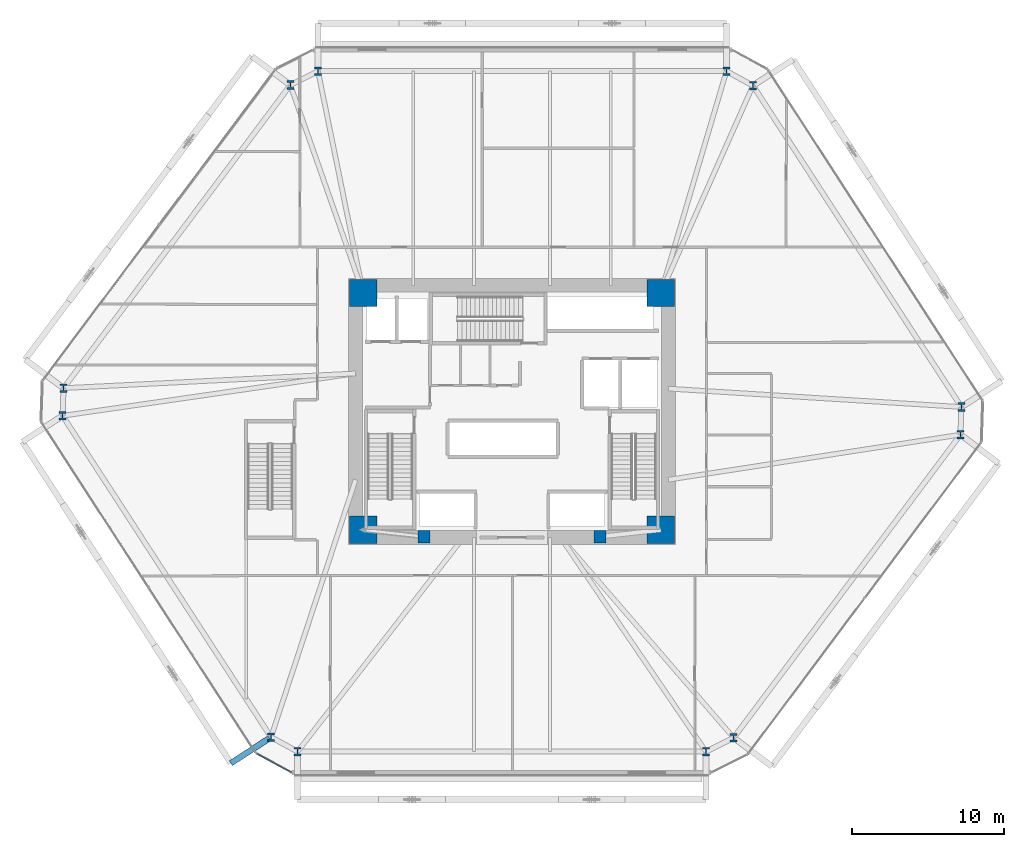
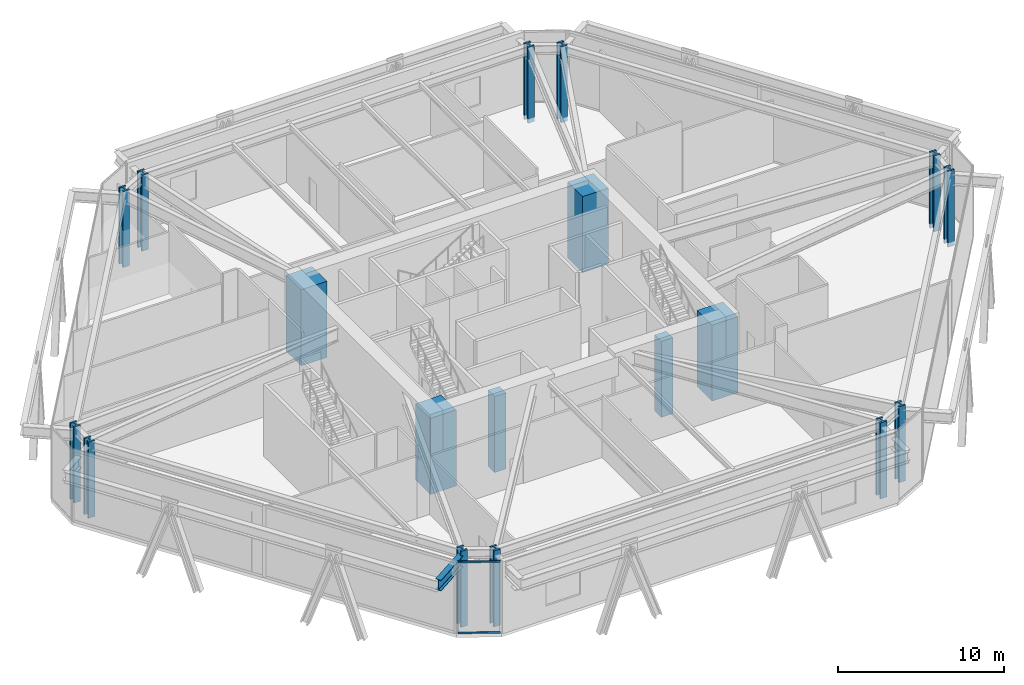
# One storey, part 1 of 23: 18 columns, 2 members, 1 beam, 1 element without a shape of its own.
"""IFC4 building model written with IfcOpenShell, lengths in metres."""

from ifc_helpers import new_model, si_unit, direction, frame, origin, origin_2d, place, context, subcontext, project, spatial, rectangle, i_section, extrude, source, transform, mapped, material, layer, layer_set, material_profile, profile_set, type_object, type_shapes, element, aggregate, save


model = new_model("IFC4")

# Units and contexts
model_context = context("Model", 3, precision=1e-05, world=origin(), true_north=direction((0.0, 1.0)))
body_context = subcontext(model_context, "Body", "Model", "MODEL_VIEW")
ifc_project = project(units=[si_unit("LENGTHUNIT", "METRE"), si_unit("AREAUNIT", "SQUARE_METRE"), si_unit("VOLUMEUNIT", "CUBIC_METRE"), si_unit("PLANEANGLEUNIT", "RADIAN"), si_unit("MASSUNIT", "GRAM", prefix="KILO")], contexts=[model_context])

# Site, building, storey
site_placement = place(None, origin())
site = spatial("IfcSite", under=ifc_project, at=site_placement, CompositionType="ELEMENT")
building_placement = place(site_placement, origin())
building = spatial("IfcBuilding", under=site, at=building_placement, Name="Durnholm Broadcast Tower", CompositionType="ELEMENT")
storey_placement = place(building_placement, frame((0.0, 0.0, 21.199951171875)))
storey = spatial("IfcBuildingStorey", under=building, at=storey_placement, Name="L04", CompositionType="ELEMENT", Elevation=21.199951171875)

# Columns
ifc_material_1 = material(Name="Concrete C70/85", Category="concrete")
ifc_material_profile_1 = material_profile(ifc_material_1, rectangle(XDim=1.800048828125, YDim=1.800048828125, at=origin_2d()), Name="RC1800X1800")
ifc_profile_set_1 = profile_set([ifc_material_profile_1], Name="Concrete C70/85")
column_type_1 = type_object("IfcColumnType", Name="COL-CC-1800", PredefinedType="COLUMN", material=ifc_profile_set_1)
shared_shape_1 = source(origin(), body_context, "Body", "SweptSolid", [
    extrude(rectangle(XDim=1.800048828125, YDim=1.800048828125, at=origin_2d()), origin(), (0.0, 0.0, 1.0), 5.60009765625),
])
type_shapes(column_type_1, [shared_shape_1])
for number, where, z_axis, x_axis, name in (
    (1, (-9.800048828125, -7.800048828125, -0.320068359375), (0.0, 0.0, 1.0), (1.0, 0.0, 0.0), "L04 core corner column 1"),
    (2, (9.800048828125, -7.800048828125, -0.320068359375), (0.0, 0.0, 1.0), (1.0, 0.0, 0.0), "L04 core corner column 2"),
    (3, (9.800048828125, 7.800048828125, -0.320068359375), (0.0, 0.0, 1.0), (1.0, 0.0, 0.0), "L04 core corner column 3"),
    (4, (-9.800048828125, 7.800048828125, -0.320068359375), (0.0, 0.0, 1.0), (1.0, 0.0, 0.0), "L04 core corner column 4"),
):
    element("IfcColumn", number, at=place(storey_placement, frame(where, z_axis=z_axis, x_axis=x_axis)), inside=storey, type_object=column_type_1, Name=name, PredefinedType="COLUMN", context=body_context, shape_type="MappedRepresentation", body=[
        mapped(shared_shape_1, transform((0.0, 0.0, 0.0), x_axis=(1.0, 0.0, 0.0), y_axis=(0.0, 1.0, 0.0), z_axis=(0.0, 0.0, 1.0), scale=1.0)),
    ])
ifc_material_profile_2 = material_profile(ifc_material_1, rectangle(XDim=0.800048828125, YDim=0.800048828125, at=origin_2d()), Name="RC800X800")
ifc_profile_set_2 = profile_set([ifc_material_profile_2], Name="Concrete C70/85")
column_type_2 = type_object("IfcColumnType", Name="COL-CP-800", PredefinedType="PILASTER", material=ifc_profile_set_2)
shared_shape_2 = source(origin(), body_context, "Body", "SweptSolid", [
    extrude(rectangle(XDim=0.800048828125, YDim=0.800048828125, at=origin_2d()), origin(), (0.0, 0.0, 1.0), 5.60009765625),
])
type_shapes(column_type_2, [shared_shape_2])
for number, where, z_axis, x_axis, name in (
    (5, (-5.800048828125, -8.25, -0.320068359375), (0.0, 0.0, 1.0), (1.0, 0.0, 0.0), "L04 core hall structural pilaster 1"),
    (6, (5.800048828125, -8.25, -0.320068359375), (0.0, 0.0, 1.0), (1.0, 0.0, 0.0), "L04 core hall structural pilaster 2"),
):
    element("IfcColumn", number, at=place(storey_placement, frame(where, z_axis=z_axis, x_axis=x_axis)), inside=storey, type_object=column_type_2, Name=name, PredefinedType="PILASTER", context=body_context, shape_type="MappedRepresentation", body=[
        mapped(shared_shape_2, transform((0.0, 0.0, 0.0), x_axis=(1.0, 0.0, 0.0), y_axis=(0.0, 1.0, 0.0), z_axis=(0.0, 0.0, 1.0), scale=1.0)),
    ])
ifc_material_2 = material(Name="Steel ASTM A913 Grade 65", Category="steel")
ifc_material_profile_3 = material_profile(ifc_material_2, i_section(OverallWidth=0.454345703125, OverallDepth=0.569091796875, WebThickness=0.077880859375, FlangeThickness=0.124755859375, FilletRadius=0.030517578125, at=origin_2d()), Name="W14X730")
ifc_profile_set_3 = profile_set([ifc_material_profile_3], Name="Steel ASTM A913 Grade 65")
column_type_3 = type_object("IfcColumnType", Name="STL-SC-W14X730", PredefinedType="COLUMN", material=ifc_profile_set_3)
shared_shape_3 = source(origin(), body_context, "Body", "SweptSolid", [
    extrude(i_section(OverallWidth=0.454345703125, OverallDepth=0.569091796875, WebThickness=0.077880859375, FlangeThickness=0.124755859375, FilletRadius=0.030517578125, at=origin_2d()), origin(), (0.0, 0.0, 1.0), 5.60009765625),
])
type_shapes(column_type_3, [shared_shape_3])
for number, where, z_axis, x_axis, name in (
    (7, (-15.866455078125, -21.45068359375, -0.320068359375), (0.0, 0.0, 1.0), (1.0, 0.0, 0.0), "L04 perimeter hexagonal tube column 01"),
    (8, (-29.590576171875, -0.28857421875, -0.320068359375), (0.0, 0.0, 1.0), (1.0, 0.0, 0.0), "L04 perimeter hexagonal tube column 02"),
    (9, (-29.529296875, 1.530517578125, -0.320068359375), (0.0, 0.0, 1.0), (1.0, 0.0, 0.0), "L04 perimeter hexagonal tube column 03"),
    (10, (-14.594482421875, 21.487548828125, -0.320068359375), (0.0, 0.0, 1.0), (1.0, 0.0, 0.0), "L04 perimeter hexagonal tube column 04"),
    (11, (-12.77197265625, 22.39990234375, -0.320068359375), (0.0, 0.0, 1.0), (1.0, 0.0, 0.0), "L04 perimeter hexagonal tube column 05"),
    (12, (14.119384765625, 22.39990234375, -0.320068359375), (0.0, 0.0, 1.0), (1.0, 0.0, 0.0), "L04 perimeter hexagonal tube column 06"),
    (13, (15.866455078125, 21.45068359375, -0.320068359375), (0.0, 0.0, 1.0), (1.0, 0.0, 0.0), "L04 perimeter hexagonal tube column 07"),
    (14, (29.590576171875, 0.28857421875, -0.320068359375), (0.0, 0.0, 1.0), (1.0, 0.0, 0.0), "L04 perimeter hexagonal tube column 08"),
    (15, (29.529296875, -1.530517578125, -0.320068359375), (0.0, 0.0, 1.0), (1.0, 0.0, 0.0), "L04 perimeter hexagonal tube column 09"),
    (16, (14.594482421875, -21.487548828125, -0.320068359375), (0.0, 0.0, 1.0), (1.0, 0.0, 0.0), "L04 perimeter hexagonal tube column 10"),
    (17, (12.77197265625, -22.39990234375, -0.320068359375), (0.0, 0.0, 1.0), (1.0, 0.0, 0.0), "L04 perimeter hexagonal tube column 11"),
    (18, (-14.119384765625, -22.39990234375, -0.320068359375), (0.0, 0.0, 1.0), (1.0, 0.0, 0.0), "L04 perimeter hexagonal tube column 12"),
):
    element("IfcColumn", number, at=place(storey_placement, frame(where, z_axis=z_axis, x_axis=x_axis)), inside=storey, type_object=column_type_3, Name=name, PredefinedType="COLUMN", context=body_context, shape_type="MappedRepresentation", body=[
        mapped(shared_shape_3, transform((0.0, 0.0, 0.0), x_axis=(1.0, 0.0, 0.0), y_axis=(0.0, 1.0, 0.0), z_axis=(0.0, 0.0, 1.0), scale=1.0)),
    ])

# Beam
ifc_material_3 = material(Name="Steel ASTM A992 Grade 50", Category="steel")
ifc_material_profile_4 = material_profile(ifc_material_3, i_section(OverallWidth=0.385009765625, OverallDepth=0.802978515625, WebThickness=0.023681640625, FlangeThickness=0.0419921875, FilletRadius=0.032958984375, at=origin_2d()), Name="W30X261")
ifc_profile_set_4 = profile_set([ifc_material_profile_4], Name="Steel ASTM A992 Grade 50")
beam_type = type_object("IfcBeamType", Name="BM-EXO-TIE", PredefinedType="USERDEFINED", material=ifc_profile_set_4)
shared_shape_4 = source(origin(), body_context, "Body", "SweptSolid", [
    extrude(i_section(OverallWidth=0.385009765625, OverallDepth=0.802978515625, WebThickness=0.023681640625, FlangeThickness=0.0419921875, FilletRadius=0.032958984375, at=origin_2d()), origin(), (0.0, 0.0, 1.0), 3.024169921875),
])
type_shapes(beam_type, [shared_shape_4])
beam_placement = place(storey_placement, frame((-15.97216796875, -21.519287109375, 4.528564453125), z_axis=(-0.839049936056, -0.544054413459, 0.0), x_axis=(0.544054413459, -0.839049936056, 0.0)))
element("IfcBeam", 19, at=beam_placement, inside=storey, type_object=beam_type, Name="L04 exoskeleton stand-off tie bracket F6.2", ObjectType="GIRDER", PredefinedType="USERDEFINED", context=body_context, shape_type="MappedRepresentation", body=[
    mapped(shared_shape_4, transform((0.0, 0.0, 0.0), x_axis=(1.0, 0.0, 0.0), y_axis=(0.0, 1.0, 0.0), z_axis=(0.0, 0.0, 1.0), scale=1.0)),
])

# Curtain wall, members
ifc_material_4 = material(Name="Aluminium and Solar Control IGU", Category="aluminium")
ifc_layer = layer(ifc_material_4, 0.1650390625)
ifc_layer_set = layer_set([ifc_layer], Name="Aluminium and Solar Control IGU")
curtain_wall_type = type_object("IfcCurtainWallType", Name="CW-SYS-5", PredefinedType="NOTDEFINED", material=ifc_layer_set)
curtain_wall_placement = place(storey_placement, origin())
curtain_wall = element("IfcCurtainWall", 20, at=curtain_wall_placement, inside=storey, type_object=curtain_wall_type, Name="L04 curtain wall CW-CORNER CW-L04-CRN-11", PredefinedType="NOTDEFINED")
ifc_material_5 = material(Name="Aluminium 6063-T6", Category="aluminium")
ifc_material_profile_5 = material_profile(ifc_material_5, rectangle(XDim=0.06494140625, YDim=0.1298828125, at=origin_2d()), Name="CWT65X130")
ifc_profile_set_5 = profile_set([ifc_material_profile_5], Name="Aluminium 6063-T6")
member_type = type_object("IfcMemberType", Name="CW-SYS-5-TRN", PredefinedType="USERDEFINED", material=ifc_profile_set_5)
shared_shape_5 = source(origin(), body_context, "Body", "SweptSolid", [
    extrude(rectangle(XDim=0.06494140625, YDim=0.1298828125, at=origin_2d()), origin(), (0.0, 0.0, 1.0), 2.56982421875),
])
type_shapes(member_type, [shared_shape_5])
member_1_placement = place(storey_placement, frame((-14.5322265625, -23.76904296875, 0.032470703125), z_axis=(-0.878649635893, 0.47746708509, 0.0), x_axis=(-0.47746708509, -0.878649635893, 0.0)))
member_1 = element("IfcMember", 21, at=member_1_placement, type_object=member_type, Name="CW-CORNER transom 1.1", ObjectType="TRANSOM", PredefinedType="USERDEFINED", context=body_context, shape_type="MappedRepresentation", body=[
    mapped(shared_shape_5, transform((0.0, 0.0, 0.0), x_axis=(1.0, 0.0, 0.0), y_axis=(0.0, 1.0, 0.0), z_axis=(0.0, 0.0, 1.0), scale=1.0)),
])
member_2_placement = place(storey_placement, frame((-14.5322265625, -23.76904296875, 5.24755859375), z_axis=(-0.878649635893, 0.47746708509, 0.0), x_axis=(-0.47746708509, -0.878649635893, 0.0)))
member_2 = element("IfcMember", 22, at=member_2_placement, type_object=member_type, Name="CW-CORNER transom 1.2", ObjectType="TRANSOM", PredefinedType="USERDEFINED", context=body_context, shape_type="MappedRepresentation", body=[
    mapped(shared_shape_5, transform((0.0, 0.0, 0.0), x_axis=(1.0, 0.0, 0.0), y_axis=(0.0, 1.0, 0.0), z_axis=(0.0, 0.0, 1.0), scale=1.0)),
])
aggregate(curtain_wall, [member_1, member_2])

save(model, "model.ifc")
